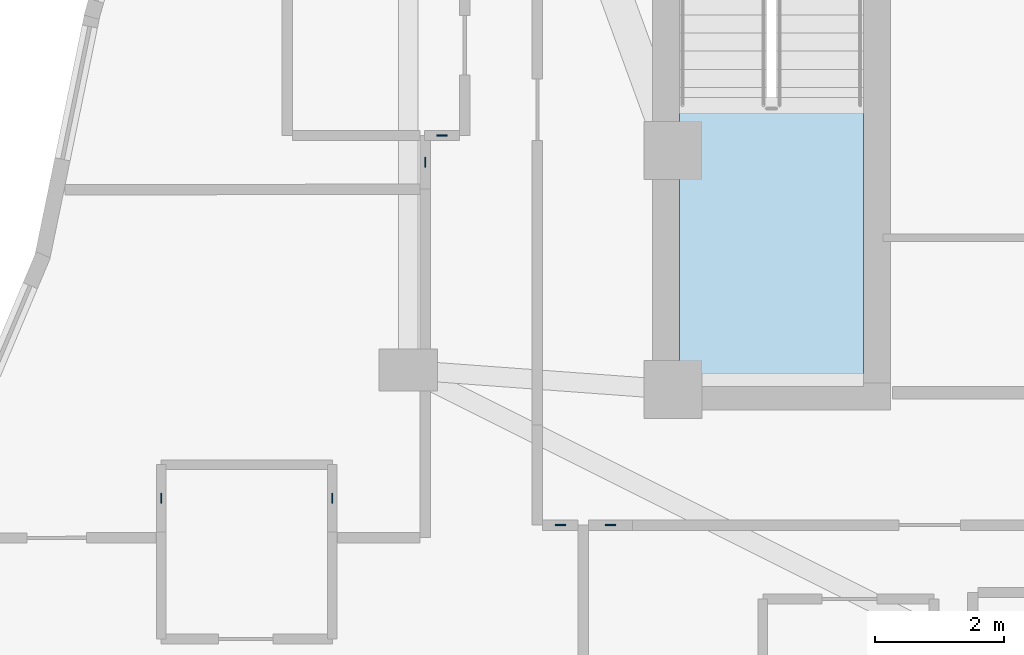
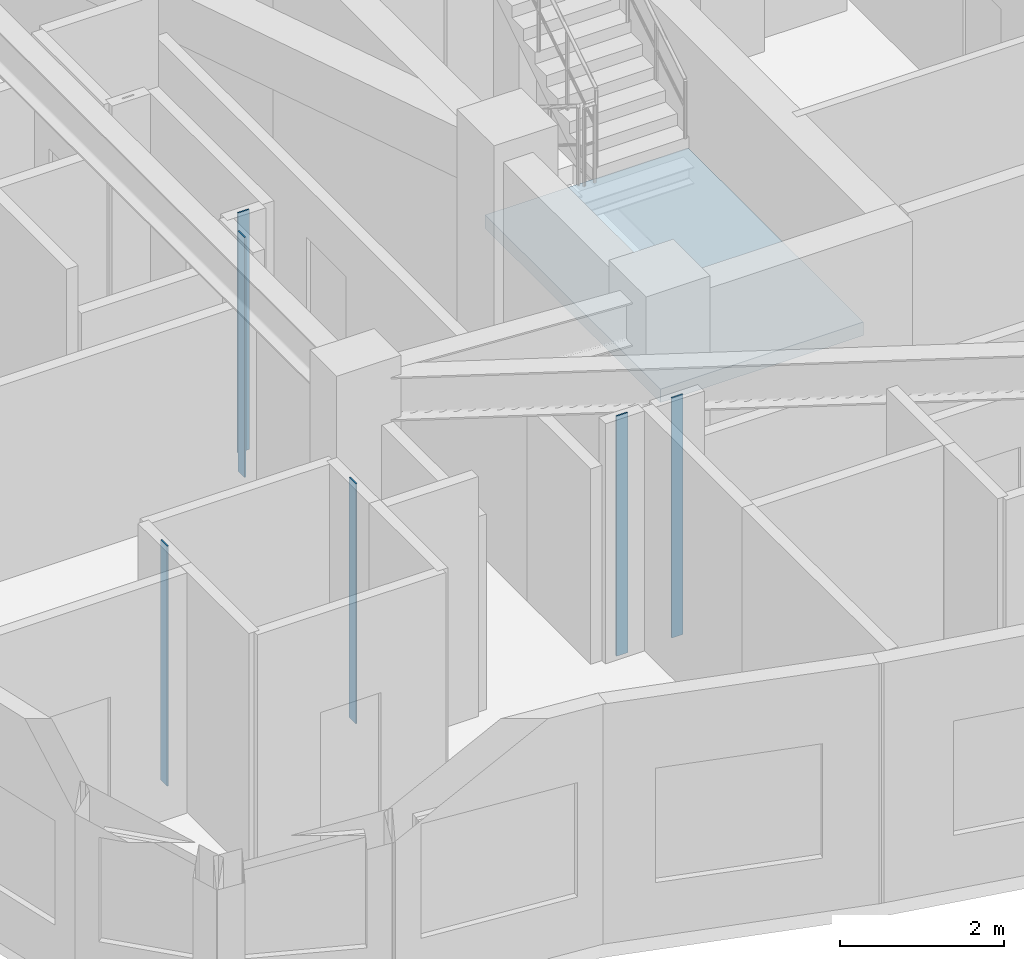
# One storey, part 2 of 13: 6 plates, 1 slab, 1 element without a shape of its own.
"""IFC4 building model written with IfcOpenShell, lengths in metres."""

from ifc_helpers import new_model, si_unit, direction, frame, origin, origin_2d, place, context, subcontext, project, spatial, polyline, rectangle, outline, extrude, material, layer, layer_set, type_object, element, aggregate, save


model = new_model("IFC4")

# Units and contexts
model_context = context("Model", 3, precision=1e-05, world=origin(), true_north=direction((0.0, 1.0)))
body_context = subcontext(model_context, "Body", "Model", "MODEL_VIEW")
ifc_project = project(units=[si_unit("LENGTHUNIT", "METRE"), si_unit("AREAUNIT", "SQUARE_METRE"), si_unit("VOLUMEUNIT", "CUBIC_METRE"), si_unit("PLANEANGLEUNIT", "RADIAN"), si_unit("MASSUNIT", "GRAM", prefix="KILO")], contexts=[model_context])

# Site, building, storey
site_placement = place(None, origin())
site = spatial("IfcSite", under=ifc_project, at=site_placement, CompositionType="ELEMENT")
building_placement = place(site_placement, origin())
building = spatial("IfcBuilding", under=site, at=building_placement, Name="Miruveldt Soraemaru", CompositionType="ELEMENT")
storey_placement = place(building_placement, frame((0.0, 0.0, 252.0)))
storey = spatial("IfcBuildingStorey", under=building, at=storey_placement, Name="L69", CompositionType="ELEMENT", Elevation=252.0)

# Plates
ifc_material_1 = material(Name="Anodised aluminium EN AW-6063 T6", Category="aluminium")
ifc_layer_1 = layer(ifc_material_1, 0.02001953125, Name="Anodised aluminium EN AW-6063 T6", Category="aluminium")
ifc_layer_set_1 = layer_set([ifc_layer_1], Name="Anodised aluminium EN AW-6063 T6")
plate_type = type_object("IfcPlateType", Name="PLT-PART-TRIM", PredefinedType="SHEET", material=ifc_layer_set_1)
for number, where, z_axis, x_axis, name in (
    (1, (30.222900390625, 33.8154296875, 0.0), (0.0, 0.0, 1.0), (0.0, 1.0, 0.0), "L69 Partition Step Corner Trim Plate 040"),
    (2, (27.572998046875, 33.8154296875, 0.0), (0.0, 0.0, 1.0), (0.0, -1.0, 0.0), "L69 Partition Step Corner Trim Plate 042"),
    (3, (31.662109375, 39.01904296875, 0.0), (0.0, 0.0, 1.0), (0.0, -1.0, 0.0), "L69 Partition Step Corner Trim Plate 037"),
    (4, (34.531005859375, 33.39990234375, 0.0), (0.0, 0.0, 1.0), (1.0, 0.0, 0.0), "L69 Partition Step Corner Trim Plate 008"),
    (5, (33.756103515625, 33.39990234375, 0.0), (0.0, 0.0, 1.0), (1.0, 0.0, 0.0), "L69 Partition Step Corner Trim Plate 007"),
    (6, (31.922607421875, 39.43505859375, 0.0), (0.0, 0.0, 1.0), (1.0, 0.0, 0.0), "L69 Partition Step Corner Trim Plate 032"),
):
    element("IfcPlate", number, at=place(storey_placement, frame(where, z_axis=z_axis, x_axis=x_axis)), inside=storey, type_object=plate_type, Name=name, PredefinedType="SHEET", context=body_context, shape_type="SweptSolid", body=[
        extrude(rectangle(XDim=0.159912109375, YDim=0.02001953125, at=origin_2d()), origin(), (0.0, 0.0, 1.0), 3.56494140625),
    ])

# Stair, slab
ifc_material_2 = material(Name="Concrete C40/50 (40 MPa)", Category="concrete")
stair_type = type_object("IfcStairType", Name="STAIR-DL-385", PredefinedType="HALF_TURN_STAIR", material=ifc_material_2)
stair_placement = place(storey_placement, origin())
stair = element("IfcStair", 7, at=stair_placement, inside=storey, type_object=stair_type, Name="L69 Protected Exit Stair ST-1", PredefinedType="HALF_TURN_STAIR")
ifc_layer_2 = layer(ifc_material_2, 0.199951171875, Name="Concrete C40/50 (40 MPa)", Category="concrete")
ifc_layer_set_2 = layer_set([ifc_layer_2], Name="Concrete C40/50 (40 MPa)")
slab_type = type_object("IfcSlabType", Name="SLAB-LAND-200", PredefinedType="LANDING", material=ifc_layer_set_2)
slab_placement = place(storey_placement, frame((0.0, 0.0, 1.72509765625)))
slab = element("IfcSlab", 8, at=slab_placement, type_object=slab_type, Name="ST-1 landing 1", PredefinedType="LANDING", context=body_context, shape_type="SweptSolid", body=[
    extrude(outline(polyline([(35.60009765625, 39.91796875), (35.60009765625, 35.64990234375), (38.449951171875, 35.64990234375), (38.449951171875, 39.91796875), (35.60009765625, 39.91796875)])), origin(), (0.0, 0.0, 1.0), 0.199951171875),
])
aggregate(stair, [slab])

save(model, "model.ifc")
